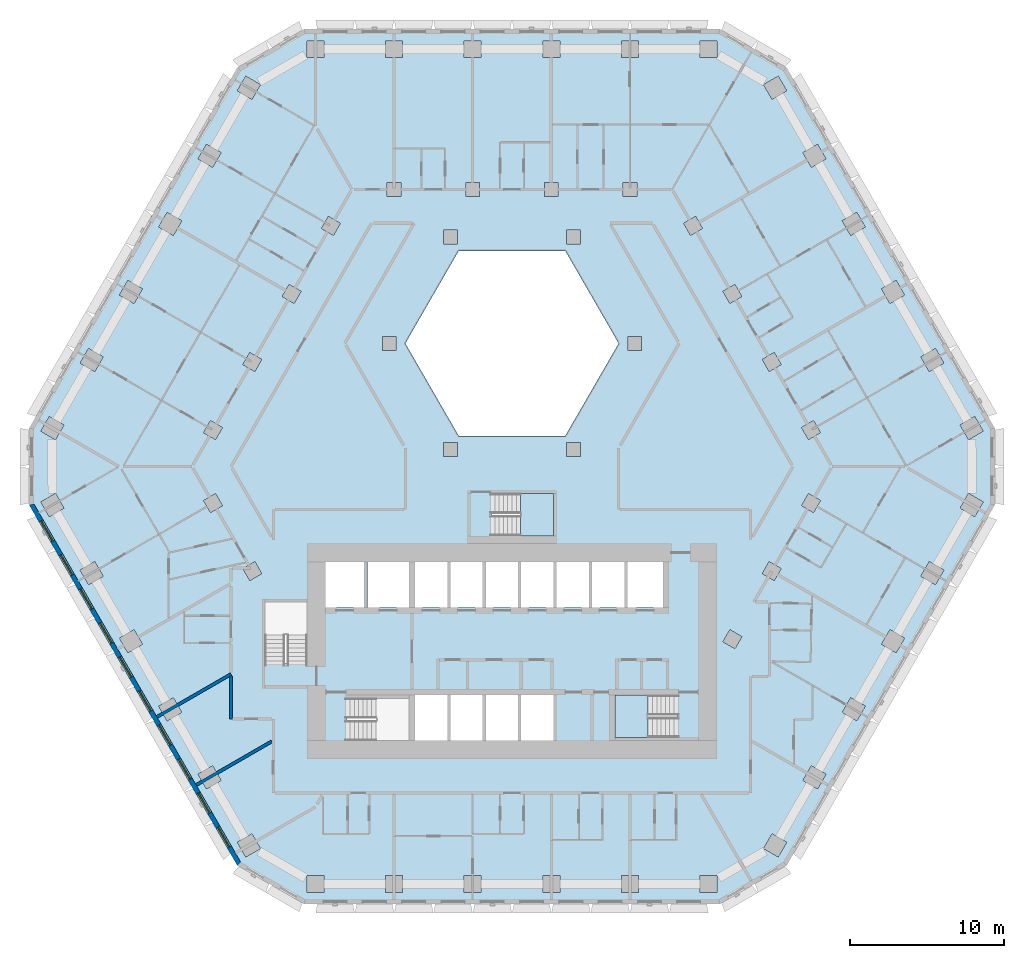
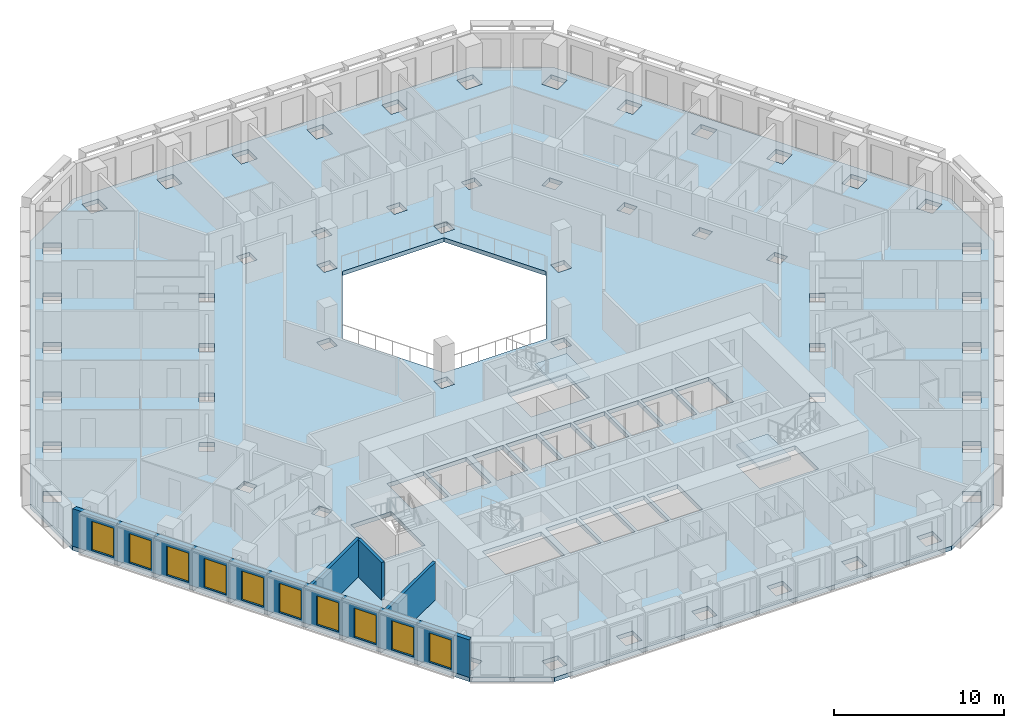
# One storey, part 2 of 21: 10 windows, 4 walls, 3 slabs, 10 openings, 2 elements without a shape of their own.
"""IFC4 building model written with IfcOpenShell, lengths in metres."""

import ifcopenshell
import ifcopenshell.guid

model = None  # the IFC model being written
_history = None  # IfcOwnerHistory: only IFC2X3 demands one
_inside = {}  # id of a spatial element -> (the spatial element, [elements in it])
_under = {}  # id of a project, library or spatial element -> (it, [spatial elements below it])
_declared = {}  # id of a project -> (the project, [libraries it declares])
_typed = {}  # id of a type object -> (the type object, [elements of that type])
_made_of = {}  # id of a material, layer set ... -> (it, [elements and type objects made of it])


def new_model(schema):
    """Start an empty IFC model of exactly this schema.

    Asked for "IFC4X3", IfcOpenShell would pick the latest addendum, in which some entities
    have other attributes; the version numbers below select the first issue.
    IFC2X3 requires an IfcOwnerHistory on every rooted entity: one is made here for all.
    """
    global model, _history
    if schema == "IFC4X3":
        model = ifcopenshell.file(schema_version=(4, 3, 0, 0))
    else:
        model = ifcopenshell.file(schema=schema)
    _inside.clear()
    _under.clear()
    _declared.clear()
    _typed.clear()
    _made_of.clear()
    _history = None
    if model.schema == "IFC2X3":
        org = make("IfcOrganization", Name="unknown")
        user = make(
            "IfcPersonAndOrganization",
            ThePerson=make("IfcPerson", FamilyName="unknown"),
            TheOrganization=org,
        )
        app = make(
            "IfcApplication",
            ApplicationDeveloper=org,
            Version="unknown",
            ApplicationFullName="unknown",
            ApplicationIdentifier="unknown",
        )
        _history = make(
            "IfcOwnerHistory",
            OwningUser=user,
            OwningApplication=app,
            ChangeAction="ADDED",
            CreationDate=0,
        )
    return model


def make(cls, **values):
    """One entity of the class cls with the attributes given. An attribute that is None is left unset."""
    return model.create_entity(
        cls, **{name: value for name, value in values.items() if value is not None}
    )


def rooted(cls, **values):
    """An entity with a GlobalId (a new one), such as an element, a storey or a relation."""
    return make(cls, GlobalId=ifcopenshell.guid.new(), OwnerHistory=_history, **values)


def si_unit(unit_type, name, prefix=None):
    """IfcSIUnit, for example si_unit("LENGTHUNIT", "METRE", prefix="MILLI")."""
    return make("IfcSIUnit", UnitType=unit_type, Prefix=prefix, Name=name)


def assignment(units):
    """IfcUnitAssignment: the units of a project."""
    return None if units is None else make("IfcUnitAssignment", Units=units)


def point(xyz):
    """IfcCartesianPoint."""
    return None if xyz is None else make("IfcCartesianPoint", Coordinates=xyz)


def direction(xyz):
    """IfcDirection."""
    return None if xyz is None else make("IfcDirection", DirectionRatios=xyz)


def frame(location, z_axis=None, x_axis=None):
    """IfcAxis2Placement3D, a coordinate frame: its origin and axes. An axis left out is left unset."""
    return make(
        "IfcAxis2Placement3D",
        Location=point(location),
        Axis=direction(z_axis),
        RefDirection=direction(x_axis),
    )


def frame_2d(location, x_axis=None):
    """IfcAxis2Placement2D, a coordinate frame in the plane: its origin and x axis."""
    return make(
        "IfcAxis2Placement2D", Location=point(location), RefDirection=direction(x_axis)
    )


def origin():
    """The frame at (0, 0, 0) with its axes left unset."""
    return frame((0.0, 0.0, 0.0))


def place(relative_to, where):
    """IfcLocalPlacement: puts the frame where relative to a parent placement (None: the world)."""
    return make(
        "IfcLocalPlacement", PlacementRelTo=relative_to, RelativePlacement=where
    )


def context(
    kind, dimensions, precision=None, world=None, true_north=None, identifier=None
):
    """IfcGeometricRepresentationContext, for example the 3D "Model" context."""
    return make(
        "IfcGeometricRepresentationContext",
        ContextIdentifier=identifier,
        ContextType=kind,
        CoordinateSpaceDimension=dimensions,
        Precision=precision,
        WorldCoordinateSystem=world,
        TrueNorth=true_north,
    )


def subcontext(parent, identifier, kind, view, scale=None):
    """IfcGeometricRepresentationSubContext, for example "Body" below "Model"."""
    return make(
        "IfcGeometricRepresentationSubContext",
        ContextIdentifier=identifier,
        ContextType=kind,
        ParentContext=parent,
        TargetScale=scale,
        TargetView=view,
    )


def project(units=None, contexts=None):
    """IfcProject with its units and contexts."""
    return rooted(
        "IfcProject",
        Name="project",
        RepresentationContexts=contexts,
        UnitsInContext=assignment(units),
    )


def spatial(cls, under=None, at=None, **own):
    """A site, building, storey or space (cls), placed at a placement, below another one or the project."""
    s = rooted(cls, ObjectPlacement=at, **own)
    if under is not None:
        _under.setdefault(under.id(), (under, []))[1].append(s)
    return s


def polyline(points):
    """IfcPolyline through the points."""
    return make("IfcPolyline", Points=[point(p) for p in points])


def profile(cls, at=None, kind="AREA", **sizes):
    """A parametric profile (cls). Its sizes go by their IFC names, for example OverallWidth=200.0."""
    return make(cls, ProfileType=kind, Position=at, **sizes)


def rectangle(**sizes):
    """IfcRectangleProfileDef."""
    return profile("IfcRectangleProfileDef", **sizes)


def outline(outer, holes=None, kind="AREA"):
    """IfcArbitraryClosedProfileDef: a profile drawn as a closed curve; with holes, ...WithVoids."""
    if holes is None:
        return make("IfcArbitraryClosedProfileDef", ProfileType=kind, OuterCurve=outer)
    return make(
        "IfcArbitraryProfileDefWithVoids",
        ProfileType=kind,
        OuterCurve=outer,
        InnerCurves=holes,
    )


def extrude(swept, where, along, depth):
    """IfcExtrudedAreaSolid: the profile swept, set in the frame where, extruded along a direction by depth."""
    return make(
        "IfcExtrudedAreaSolid",
        SweptArea=swept,
        Position=where,
        ExtrudedDirection=direction(along),
        Depth=depth,
    )


def shape(context_of_items, identifier, shape_type, items):
    """IfcShapeRepresentation: the items that make up one representation, for example the "Body"."""
    return make(
        "IfcShapeRepresentation",
        ContextOfItems=context_of_items,
        RepresentationIdentifier=identifier,
        RepresentationType=shape_type,
        Items=items,
    )


def material(Name=None, Category=None):
    """IfcMaterial."""
    return make("IfcMaterial", Name=Name, Category=Category)


def layer(
    of_material, thickness, ventilated=None, Name=None, Category=None, Priority=None
):
    """IfcMaterialLayer: one layer of a wall or slab, of a material (None: an air gap)."""
    return make(
        "IfcMaterialLayer",
        Material=of_material,
        LayerThickness=thickness,
        IsVentilated=ventilated,
        Name=Name,
        Category=Category,
        Priority=Priority,
    )


def layer_set(layers, Name=None):
    """IfcMaterialLayerSet."""
    return make("IfcMaterialLayerSet", MaterialLayers=layers, LayerSetName=Name)


def made_of(thing, what):
    """Note that an element or type object is made of a material, layer set ...; save() writes the relation."""
    if what is not None:
        _made_of.setdefault(what.id(), (what, []))[1].append(thing)
    return thing


def type_object(cls, material=None, **own):
    """A type object (cls), such as IfcWallType, which elements share."""
    return made_of(rooted(cls, **own), material)


def element(
    cls,
    number,
    at=None,
    inside=None,
    cuts=None,
    type_object=None,
    material=None,
    context=None,
    identifier="Body",
    shape_type=None,
    held_by="IfcProductDefinitionShape",
    body=None,
    shapes=None,
    **own,
):
    """One element of the class cls, such as IfcWall. Its Tag is "e" and its number.

    at: its placement. inside: the storey or other place that contains it. cuts: it is an
    opening in that element (IfcRelVoidsElement). A single representation is given by context,
    identifier, shape_type and body (its items); several are given by shapes. held_by: the class
    of the entity that holds the representations. save() writes the other relations.
    """
    e = rooted(cls, Tag="e%d" % number, ObjectPlacement=at, **own)
    if body is not None:
        shapes = [shape(context, identifier, shape_type, body)]
    if shapes is not None:
        e.Representation = make(held_by, Representations=shapes)
    if inside is not None:
        _inside.setdefault(inside.id(), (inside, []))[1].append(e)
    if cuts is not None:
        rooted(
            "IfcRelVoidsElement", RelatingBuildingElement=cuts, RelatedOpeningElement=e
        )
    if type_object is not None:
        _typed.setdefault(type_object.id(), (type_object, []))[1].append(e)
    return made_of(e, material)


def fill(opening, filler):
    """IfcRelFillsElement: the door or window that sits in an opening."""
    return rooted(
        "IfcRelFillsElement",
        RelatingOpeningElement=opening,
        RelatedBuildingElement=filler,
    )


def aggregate(whole, parts):
    """IfcRelAggregates: a whole, such as a stair, and the parts it consists of."""
    return rooted("IfcRelAggregates", RelatingObject=whole, RelatedObjects=parts)


def save(model, path):
    """Write the relations noted so far, then the file.

    IfcRelAggregates (storeys below a building ...), IfcRelContainedInSpatialStructure (elements
    in a storey), IfcRelDefinesByType, IfcRelAssociatesMaterial and IfcRelDeclares: one each for
    every whole, place, type object, material and project.
    """
    for whole, parts in _under.values():
        aggregate(whole, parts)
    for where, things in _inside.values():
        rooted(
            "IfcRelContainedInSpatialStructure",
            RelatedElements=things,
            RelatingStructure=where,
        )
    for kind, things in _typed.values():
        rooted("IfcRelDefinesByType", RelatedObjects=things, RelatingType=kind)
    for what, things in _made_of.values():
        rooted("IfcRelAssociatesMaterial", RelatedObjects=things, RelatingMaterial=what)
    for by, libraries in _declared.values():
        rooted("IfcRelDeclares", RelatingContext=by, RelatedDefinitions=libraries)
    model.write(path)


model = new_model("IFC4")

# Units and contexts
model_context = context("Model", 3, precision=1e-05, world=origin(), true_north=direction((0.0, 1.0)))
body_context = subcontext(model_context, "Body", "Model", "MODEL_VIEW")
ifc_project = project(units=[si_unit("LENGTHUNIT", "METRE"), si_unit("AREAUNIT", "SQUARE_METRE"), si_unit("VOLUMEUNIT", "CUBIC_METRE"), si_unit("PLANEANGLEUNIT", "RADIAN"), si_unit("MASSUNIT", "GRAM", prefix="KILO")], contexts=[model_context])

# Site, building, storey
site_placement = place(None, origin())
site = spatial("IfcSite", under=ifc_project, at=site_placement, CompositionType="ELEMENT")
building_placement = place(site_placement, origin())
building = spatial("IfcBuilding", under=site, at=building_placement, Name="Beryl Residences", CompositionType="ELEMENT")
storey_placement = place(building_placement, frame((0.0, 0.0, 29.39990234375)))
storey = spatial("IfcBuildingStorey", under=building, at=storey_placement, Name="L08", CompositionType="ELEMENT", Elevation=29.39990234375)

# Slab
ifc_material_1 = material(Name="Concrete C40/50", Category="concrete")
ifc_layer_1 = layer(ifc_material_1, 0.300048828125)
ifc_layer_set_1 = layer_set([ifc_layer_1], Name="SL7 PT floor slab 300 mm C40/50")
slab_type_1 = type_object("IfcSlabType", Name="SL7 PT floor slab 300 mm C40/50", PredefinedType="FLOOR", material=ifc_layer_set_1)
slab_1_placement = place(storey_placement, frame((0.0, 0.0, -0.2998046875)))
element("IfcSlab", 1, at=slab_1_placement, inside=storey, type_object=slab_type_1, Name="L08 slab 1", PredefinedType="FLOOR", context=body_context, shape_type="SweptSolid", body=[
    extrude(outline(polyline([(31.35009765625, -2.5), (17.840087890625, -25.89990234375), (13.510009765625, -28.39990234375), (-13.510009765625, -28.39990234375), (-17.840087890625, -25.89990234375), (-31.35009765625, -2.5), (-31.35009765625, 2.5), (-17.840087890625, 25.89990234375), (-13.510009765625, 28.39990234375), (13.510009765625, 28.39990234375), (17.840087890625, 25.89990234375), (31.35009765625, 2.5), (31.35009765625, -2.5)]), holes=[polyline([(30.60009765625, -2.298095703125), (29.64794921875, -1.748046875), (29.097900390625, -2.699951171875), (30.050048828125, -3.25), (30.60009765625, -2.298095703125)]), polyline([(30.59912109375, 2.299072265625), (30.049072265625, 3.2509765625), (29.096923828125, 2.700927734375), (29.64697265625, 1.7490234375), (30.59912109375, 2.299072265625)]), polyline([(28.049072265625, -6.718017578125), (27.096923828125, -6.16796875), (26.547119140625, -7.1201171875), (27.4990234375, -7.669921875), (28.049072265625, -6.718017578125)]), polyline([(27.498046875, 7.672119140625), (26.5458984375, 7.1220703125), (27.095947265625, 6.169921875), (28.048095703125, 6.719970703125), (27.498046875, 7.672119140625)]), polyline([(24.544921875, -10.587890625), (23.9951171875, -11.5400390625), (24.947021484375, -12.090087890625), (25.4970703125, -11.137939453125), (24.544921875, -10.587890625)]), polyline([(25.49609375, 11.139892578125), (24.946044921875, 12.092041015625), (23.993896484375, 11.5419921875), (24.5439453125, 10.590087890625), (25.49609375, 11.139892578125)]), polyline([(22.39501953125, -16.510009765625), (22.945068359375, -15.55810546875), (21.992919921875, -15.008056640625), (21.443115234375, -15.9599609375), (22.39501953125, -16.510009765625)]), polyline([(22.39404296875, 16.511962890625), (21.44189453125, 15.9619140625), (21.991943359375, 15.010009765625), (22.944091796875, 15.56005859375), (22.39404296875, 16.511962890625)]), polyline([(20.39306640625, -19.97900390625), (19.44091796875, -19.428955078125), (18.89111328125, -20.381103515625), (19.843017578125, -20.930908203125), (20.39306640625, -19.97900390625)]), polyline([(19.842041015625, 20.931884765625), (18.889892578125, 20.382080078125), (19.43994140625, 19.429931640625), (20.39208984375, 19.97998046875), (19.842041015625, 20.931884765625)]), polyline([(20.031982421875, -2.2041015625), (19.251953125, -1.75390625), (18.802001953125, -2.533935546875), (19.58203125, -2.98388671875), (20.031982421875, -2.2041015625)]), polyline([(20.031005859375, 2.2060546875), (19.5810546875, 2.986083984375), (18.801025390625, 2.535888671875), (19.2509765625, 1.756103515625), (20.031005859375, 2.2060546875)]), polyline([(17.841064453125, -24.39892578125), (16.888916015625, -23.84912109375), (16.339111328125, -24.801025390625), (17.291015625, -25.35107421875), (17.841064453125, -24.39892578125)]), polyline([(17.840087890625, 24.39990234375), (17.2900390625, 25.35205078125), (16.337890625, 24.802001953125), (16.887939453125, 23.85009765625), (17.840087890625, 24.39990234375)]), polyline([(17.47998046875, -6.6240234375), (16.699951171875, -6.174072265625), (16.25, -6.9541015625), (17.030029296875, -7.404052734375), (17.47998046875, -6.6240234375)]), polyline([(17.029052734375, 7.406005859375), (16.2490234375, 6.9560546875), (16.698974609375, 6.176025390625), (17.47900390625, 6.6259765625), (17.029052734375, 7.406005859375)]), polyline([(14.927978515625, -11.0439453125), (14.14794921875, -10.593994140625), (13.697998046875, -11.3740234375), (14.47802734375, -11.823974609375), (14.927978515625, -11.0439453125)]), polyline([(14.927001953125, 11.0458984375), (14.47705078125, 11.825927734375), (13.697021484375, 11.3759765625), (14.14697265625, 10.595947265625), (14.927001953125, 11.0458984375)]), polyline([(13.31103515625, -27.64990234375), (13.31103515625, -26.550048828125), (12.2109375, -26.550048828125), (12.2109375, -27.64990234375), (13.31103515625, -27.64990234375)]), polyline([(13.30908203125, 27.64990234375), (12.208984375, 27.64990234375), (12.208984375, 26.550048828125), (13.30908203125, 26.550048828125), (13.30908203125, 27.64990234375)]), polyline([(11.925048828125, 16.24609375), (11.14501953125, 15.7958984375), (11.594970703125, 15.01611328125), (12.375, 15.466064453125), (11.925048828125, 16.24609375)]), polyline([(10.699951171875, -14.85009765625), (6.699951171875, -14.85009765625), (6.699951171875, -17.60009765625), (10.699951171875, -17.60009765625), (10.699951171875, -14.85009765625)]), polyline([(9.800048828125, -6.199951171875), (7.5, -6.199951171875), (7.5, -9.14990234375), (9.800048828125, -9.14990234375), (9.800048828125, -6.199951171875)]), polyline([(8.4169921875, 7.550048828125), (8.4169921875, 8.449951171875), (7.51708984375, 8.449951171875), (7.51708984375, 7.550048828125), (8.4169921875, 7.550048828125)]), polyline([(7.10693359375, -27.64990234375), (8.20703125, -27.64990234375), (8.20703125, -26.550048828125), (7.10693359375, -26.550048828125), (7.10693359375, -27.64990234375)]), polyline([(8.205078125, 27.64990234375), (7.10498046875, 27.64990234375), (7.10498046875, 26.550048828125), (8.205078125, 26.550048828125), (8.205078125, 27.64990234375)]), polyline([(7.205078125, 18.449951171875), (7.205078125, 17.550048828125), (8.10498046875, 17.550048828125), (8.10498046875, 18.449951171875), (7.205078125, 18.449951171875)]), polyline([(5.199951171875, -9.14990234375), (7.300048828125, -9.14990234375), (7.300048828125, -6.199951171875), (5.199951171875, -6.199951171875), (5.199951171875, -9.14990234375)]), polyline([(3.464111328125, 14.0), (-3.464111328125, 14.0), (-6.92822265625, 8.0), (-3.464111328125, 2.0), (3.464111328125, 2.0), (6.92822265625, 8.0), (3.464111328125, 14.0)]), polyline([(2.89990234375, -6.199951171875), (2.89990234375, -9.14990234375), (5.0, -9.14990234375), (5.0, -6.199951171875), (2.89990234375, -6.199951171875)]), polyline([(4.43408203125, 15.35009765625), (3.533935546875, 15.35009765625), (3.533935546875, 14.449951171875), (4.43408203125, 14.449951171875), (4.43408203125, 15.35009765625)]), polyline([(4.43408203125, 0.64990234375), (4.43408203125, 1.550048828125), (3.533935546875, 1.550048828125), (3.533935546875, 0.64990234375), (4.43408203125, 0.64990234375)]), polyline([(3.10302734375, -27.64990234375), (3.10302734375, -26.550048828125), (2.0029296875, -26.550048828125), (2.0029296875, -27.64990234375), (3.10302734375, -27.64990234375)]), polyline([(2.0009765625, 27.64990234375), (2.0009765625, 26.550048828125), (3.10107421875, 26.550048828125), (3.10107421875, 27.64990234375), (2.0009765625, 27.64990234375)]), polyline([(3.0009765625, 18.449951171875), (2.10107421875, 18.449951171875), (2.10107421875, 17.550048828125), (3.0009765625, 17.550048828125), (3.0009765625, 18.449951171875)]), polyline([(-1.300048828125, -1.75), (-1.300048828125, -4.5), (2.699951171875, -4.5), (2.699951171875, -1.75), (-1.300048828125, -1.75)]), polyline([(0.60009765625, -9.14990234375), (2.699951171875, -9.14990234375), (2.699951171875, -6.199951171875), (0.60009765625, -6.199951171875), (0.60009765625, -9.14990234375)]), polyline([(0.60009765625, -17.800048828125), (2.699951171875, -17.800048828125), (2.699951171875, -14.85009765625), (0.60009765625, -14.85009765625), (0.60009765625, -17.800048828125)]), polyline([(-1.699951171875, -6.199951171875), (-1.699951171875, -9.14990234375), (0.39990234375, -9.14990234375), (0.39990234375, -6.199951171875), (-1.699951171875, -6.199951171875)]), polyline([(-1.699951171875, -14.85009765625), (-1.699951171875, -17.800048828125), (0.39990234375, -17.800048828125), (0.39990234375, -14.85009765625), (-1.699951171875, -14.85009765625)]), polyline([(-4.0, -9.14990234375), (-1.89990234375, -9.14990234375), (-1.89990234375, -6.199951171875), (-4.0, -6.199951171875), (-4.0, -9.14990234375)]), polyline([(-4.0, -17.800048828125), (-1.89990234375, -17.800048828125), (-1.89990234375, -14.85009765625), (-4.0, -14.85009765625), (-4.0, -17.800048828125)]), polyline([(-2.0009765625, -27.64990234375), (-2.0009765625, -26.550048828125), (-3.10107421875, -26.550048828125), (-3.10107421875, -27.64990234375), (-2.0009765625, -27.64990234375)]), polyline([(-3.10302734375, 27.64990234375), (-3.10302734375, 26.550048828125), (-2.0029296875, 26.550048828125), (-2.0029296875, 27.64990234375), (-3.10302734375, 27.64990234375)]), polyline([(-2.10302734375, 18.449951171875), (-3.0029296875, 18.449951171875), (-3.0029296875, 17.550048828125), (-2.10302734375, 17.550048828125), (-2.10302734375, 18.449951171875)]), polyline([(-3.533935546875, 14.449951171875), (-3.533935546875, 15.35009765625), (-4.43408203125, 15.35009765625), (-4.43408203125, 14.449951171875), (-3.533935546875, 14.449951171875)]), polyline([(-3.533935546875, 0.64990234375), (-3.533935546875, 1.550048828125), (-4.43408203125, 1.550048828125), (-4.43408203125, 0.64990234375), (-3.533935546875, 0.64990234375)]), polyline([(-6.300048828125, -9.14990234375), (-4.199951171875, -9.14990234375), (-4.199951171875, -6.199951171875), (-6.300048828125, -6.199951171875), (-6.300048828125, -9.14990234375)]), polyline([(-6.300048828125, -14.85009765625), (-6.300048828125, -17.800048828125), (-4.199951171875, -17.800048828125), (-4.199951171875, -14.85009765625), (-6.300048828125, -14.85009765625)]), polyline([(-6.699951171875, -17.800048828125), (-6.699951171875, -15.050048828125), (-10.699951171875, -15.050048828125), (-10.699951171875, -17.800048828125), (-6.699951171875, -17.800048828125)]), polyline([(-9.39990234375, -6.199951171875), (-9.39990234375, -9.14990234375), (-6.699951171875, -9.14990234375), (-6.699951171875, -6.199951171875), (-9.39990234375, -6.199951171875)]), polyline([(-8.205078125, -27.64990234375), (-7.10498046875, -27.64990234375), (-7.10498046875, -26.550048828125), (-8.205078125, -26.550048828125), (-8.205078125, -27.64990234375)]), polyline([(-7.10693359375, 27.64990234375), (-8.20703125, 27.64990234375), (-8.20703125, 26.550048828125), (-7.10693359375, 26.550048828125), (-7.10693359375, 27.64990234375)]), polyline([(-8.10693359375, 18.449951171875), (-8.10693359375, 17.550048828125), (-7.20703125, 17.550048828125), (-7.20703125, 18.449951171875), (-8.10693359375, 18.449951171875)]), polyline([(-8.4169921875, 7.550048828125), (-7.51708984375, 7.550048828125), (-7.51708984375, 8.449951171875), (-8.4169921875, 8.449951171875), (-8.4169921875, 7.550048828125)]), polyline([(-12.10009765625, -6.199951171875), (-12.10009765625, -9.14990234375), (-9.60009765625, -9.14990234375), (-9.60009765625, -6.199951171875), (-12.10009765625, -6.199951171875)]), polyline([(-12.3759765625, 15.465087890625), (-11.595947265625, 15.014892578125), (-11.14599609375, 15.794921875), (-11.926025390625, 16.2451171875), (-12.3759765625, 15.465087890625)]), polyline([(-12.208984375, -26.550048828125), (-13.30908203125, -26.550048828125), (-13.30908203125, -27.64990234375), (-12.208984375, -27.64990234375), (-12.208984375, -26.550048828125)]), polyline([(-13.31103515625, 27.64990234375), (-13.31103515625, 26.550048828125), (-12.2109375, 26.550048828125), (-12.2109375, 27.64990234375), (-13.31103515625, 27.64990234375)]), polyline([(-13.300048828125, -8.800048828125), (-16.050048828125, -8.800048828125), (-16.050048828125, -12.800048828125), (-13.300048828125, -12.800048828125), (-13.300048828125, -8.800048828125)]), polyline([(-14.47802734375, 11.823974609375), (-14.927978515625, 11.0439453125), (-14.14794921875, 10.593994140625), (-13.697998046875, 11.3740234375), (-14.47802734375, 11.823974609375)]), polyline([(-17.029052734375, -7.406005859375), (-16.2490234375, -6.9560546875), (-16.698974609375, -6.176025390625), (-17.47900390625, -6.6259765625), (-17.029052734375, -7.406005859375)]), polyline([(-17.47998046875, 6.6240234375), (-16.699951171875, 6.174072265625), (-16.25, 6.9541015625), (-17.030029296875, 7.404052734375), (-17.47998046875, 6.6240234375)]), polyline([(-17.2900390625, -25.35205078125), (-16.337890625, -24.802001953125), (-16.887939453125, -23.85009765625), (-17.840087890625, -24.39990234375), (-17.2900390625, -25.35205078125)]), polyline([(-17.841064453125, 24.39892578125), (-16.888916015625, 23.84912109375), (-16.339111328125, 24.801025390625), (-17.291015625, 25.35107421875), (-17.841064453125, 24.39892578125)]), polyline([(-20.031005859375, -2.2060546875), (-19.5810546875, -2.986083984375), (-18.801025390625, -2.535888671875), (-19.2509765625, -1.756103515625), (-20.031005859375, -2.2060546875)]), polyline([(-19.58203125, 2.98388671875), (-20.031982421875, 2.2041015625), (-19.251953125, 1.75390625), (-18.802001953125, 2.533935546875), (-19.58203125, 2.98388671875)]), polyline([(-19.842041015625, -20.931884765625), (-18.889892578125, -20.382080078125), (-19.43994140625, -19.429931640625), (-20.39208984375, -19.97998046875), (-19.842041015625, -20.931884765625)]), polyline([(-20.39306640625, 19.97900390625), (-19.44091796875, 19.428955078125), (-18.89111328125, 20.381103515625), (-19.843017578125, 20.930908203125), (-20.39306640625, 19.97900390625)]), polyline([(-22.39404296875, -16.511962890625), (-21.44189453125, -15.9619140625), (-21.991943359375, -15.010009765625), (-22.944091796875, -15.56005859375), (-22.39404296875, -16.511962890625)]), polyline([(-22.945068359375, 15.55810546875), (-21.992919921875, 15.008056640625), (-21.443115234375, 15.9599609375), (-22.39501953125, 16.510009765625), (-22.945068359375, 15.55810546875)]), polyline([(-24.946044921875, -12.092041015625), (-23.993896484375, -11.5419921875), (-24.5439453125, -10.590087890625), (-25.49609375, -11.139892578125), (-24.946044921875, -12.092041015625)]), polyline([(-24.544921875, 10.587890625), (-23.9951171875, 11.5400390625), (-24.947021484375, 12.090087890625), (-25.4970703125, 11.137939453125), (-24.544921875, 10.587890625)]), polyline([(-27.498046875, -7.672119140625), (-26.5458984375, -7.1220703125), (-27.095947265625, -6.169921875), (-28.048095703125, -6.719970703125), (-27.498046875, -7.672119140625)]), polyline([(-28.049072265625, 6.718017578125), (-27.096923828125, 6.16796875), (-26.547119140625, 7.1201171875), (-27.4990234375, 7.669921875), (-28.049072265625, 6.718017578125)]), polyline([(-29.096923828125, -2.700927734375), (-29.64697265625, -1.7490234375), (-30.59912109375, -2.299072265625), (-30.049072265625, -3.2509765625), (-29.096923828125, -2.700927734375)]), polyline([(-30.60009765625, 2.298095703125), (-29.64794921875, 1.748046875), (-29.097900390625, 2.699951171875), (-30.050048828125, 3.25), (-30.60009765625, 2.298095703125)])]), origin(), (0.0, 0.0, 1.0), 0.2998046875),
])

# Stair, slab
ifc_material_2 = material(Name="Concrete C40/50", Category="concrete")
stair_type = type_object("IfcStairType", Name="ST1 protected exit stair, half-turn, 1300 mm flights", PredefinedType="HALF_TURN_STAIR", material=ifc_material_2)
stair_1_placement = place(storey_placement, origin())
stair_1 = element("IfcStair", 2, at=stair_1_placement, inside=storey, type_object=stair_type, Name="L08 PROTECTED EXIT STAIR ST-3", PredefinedType="HALF_TURN_STAIR")
ifc_material_3 = material(Name="Concrete C40/50", Category="concrete")
ifc_layer_2 = layer(ifc_material_3, 0.199951171875)
ifc_layer_set_2 = layer_set([ifc_layer_2], Name="SLD1 stair landing 200 mm")
slab_type_2 = type_object("IfcSlabType", Name="SLD1 stair landing 200 mm", PredefinedType="LANDING", material=ifc_layer_set_2)
slab_2_placement = place(storey_placement, frame((0.0, 0.0, 1.300048828125)))
slab_2 = element("IfcSlab", 3, at=slab_2_placement, type_object=slab_type_2, Name="ST-3 landing 1", PredefinedType="LANDING", context=body_context, shape_type="SweptSolid", body=[
    extrude(outline(polyline([(8.840087890625, -14.85009765625), (6.699951171875, -14.85009765625), (6.699951171875, -17.60009765625), (8.840087890625, -17.60009765625), (8.840087890625, -14.85009765625)])), origin(), (0.0, 0.0, 1.0), 0.199951171875),
])
aggregate(stair_1, [slab_2])

stair_2_placement = place(storey_placement, origin())
stair_2 = element("IfcStair", 4, at=stair_2_placement, inside=storey, type_object=stair_type, Name="L08 PROTECTED EXIT STAIR ST-4", PredefinedType="HALF_TURN_STAIR")
slab_3_placement = place(storey_placement, frame((0.0, 0.0, 1.300048828125)))
slab_3 = element("IfcSlab", 5, at=slab_3_placement, type_object=slab_type_2, Name="ST-4 landing 1", PredefinedType="LANDING", context=body_context, shape_type="SweptSolid", body=[
    extrude(outline(polyline([(0.56005859375, -4.5), (2.699951171875, -4.5), (2.699951171875, -1.75), (0.56005859375, -1.75), (0.56005859375, -4.5)])), origin(), (0.0, 0.0, 1.0), 0.199951171875),
])
aggregate(stair_2, [slab_3])

# Wall, openings, windows
ifc_material_4 = material(Name="Composite metal panel with mineral wool insulation")
ifc_layer_3 = layer(ifc_material_4, 0.300048828125)
ifc_layer_set_3 = layer_set([ifc_layer_3], Name="ES1 pale metal composite panel wall 300 mm")
wall_type_1 = type_object("IfcWallType", Name="ES1 pale metal composite panel wall 300 mm", PredefinedType="SOLIDWALL", material=ifc_layer_set_3)
wall_1_placement = place(storey_placement, frame((-31.219970703125, -2.425048828125, 0.0), z_axis=(0.0, 0.0, 1.0), x_axis=(0.500001938803, -0.866024284413, 0.0)))
wall_1 = element("IfcWall", 6, at=wall_1_placement, inside=storey, type_object=wall_type_1, Name="ES1 external wall L08 SW", PredefinedType="SOLIDWALL", context=body_context, shape_type="SweptSolid", body=[
    extrude(outline(polyline([(0.0, -0.14990234375), (27.02001953125, -0.14990234375), (26.939697265625, 0.14990234375), (0.080322265625, 0.14990234375), (0.0, -0.14990234375)])), origin(), (0.0, 0.0, 1.0), 2.7001953125),
])
opening_1_placement = place(wall_1_placement, frame((1.277099609375, 0.0, 0.14990234375)))
opening_1 = element("IfcOpeningElement", 7, at=opening_1_placement, cuts=wall_1, Name="Opening W1", PredefinedType="OPENING", context=body_context, shape_type="SweptSolid", body=[
    extrude(rectangle(XDim=1.5, YDim=2.10009765625, at=frame_2d((0.75, 1.050048828125))), frame((0.0, 0.159912109375, 0.0), z_axis=(0.0, -1.0, 0.0), x_axis=(1.0, 0.0, 0.0)), (0.0, 0.0, 1.0), 0.320068359375),
])
opening_2_placement = place(wall_1_placement, frame((3.8291015625, 0.0, 0.14990234375)))
opening_2 = element("IfcOpeningElement", 8, at=opening_2_placement, cuts=wall_1, Name="Opening W1", PredefinedType="OPENING", context=body_context, shape_type="SweptSolid", body=[
    extrude(rectangle(XDim=1.5, YDim=2.10009765625, at=frame_2d((0.75, 1.050048828125))), frame((0.0, 0.159912109375, 0.0), z_axis=(0.0, -1.0, 0.0), x_axis=(1.0, 0.0, 0.0)), (0.0, 0.0, 1.0), 0.320068359375),
])
opening_3_placement = place(wall_1_placement, frame((6.382080078125, 0.0, 0.14990234375)))
opening_3 = element("IfcOpeningElement", 9, at=opening_3_placement, cuts=wall_1, Name="Opening W1", PredefinedType="OPENING", context=body_context, shape_type="SweptSolid", body=[
    extrude(rectangle(XDim=1.5, YDim=2.10009765625, at=frame_2d((0.75, 1.050048828125))), frame((0.0, 0.159912109375, 0.0), z_axis=(0.0, -1.0, 0.0), x_axis=(1.0, 0.0, 0.0)), (0.0, 0.0, 1.0), 0.320068359375),
])
opening_4_placement = place(wall_1_placement, frame((8.93310546875, 0.0, 0.14990234375)))
opening_4 = element("IfcOpeningElement", 10, at=opening_4_placement, cuts=wall_1, Name="Opening W1", PredefinedType="OPENING", context=body_context, shape_type="SweptSolid", body=[
    extrude(rectangle(XDim=1.5, YDim=2.10009765625, at=frame_2d((0.75, 1.050048828125))), frame((0.0, 0.159912109375, 0.0), z_axis=(0.0, -1.0, 0.0), x_axis=(1.0, 0.0, 0.0)), (0.0, 0.0, 1.0), 0.320068359375),
])
opening_5_placement = place(wall_1_placement, frame((11.485107421875, 0.0, 0.14990234375)))
opening_5 = element("IfcOpeningElement", 11, at=opening_5_placement, cuts=wall_1, Name="Opening W1", PredefinedType="OPENING", context=body_context, shape_type="SweptSolid", body=[
    extrude(rectangle(XDim=1.5, YDim=2.10009765625, at=frame_2d((0.75, 1.050048828125))), frame((0.0, 0.159912109375, 0.0), z_axis=(0.0, -1.0, 0.0), x_axis=(1.0, 0.0, 0.0)), (0.0, 0.0, 1.0), 0.320068359375),
])
opening_6_placement = place(wall_1_placement, frame((14.037109375, 0.0, 0.14990234375)))
opening_6 = element("IfcOpeningElement", 12, at=opening_6_placement, cuts=wall_1, Name="Opening W1", PredefinedType="OPENING", context=body_context, shape_type="SweptSolid", body=[
    extrude(rectangle(XDim=1.5, YDim=2.10009765625, at=frame_2d((0.75, 1.050048828125))), frame((0.0, 0.159912109375, 0.0), z_axis=(0.0, -1.0, 0.0), x_axis=(1.0, 0.0, 0.0)), (0.0, 0.0, 1.0), 0.320068359375),
])
opening_7_placement = place(wall_1_placement, frame((16.589111328125, 0.0, 0.14990234375)))
opening_7 = element("IfcOpeningElement", 13, at=opening_7_placement, cuts=wall_1, Name="Opening W1", PredefinedType="OPENING", context=body_context, shape_type="SweptSolid", body=[
    extrude(rectangle(XDim=1.5, YDim=2.10009765625, at=frame_2d((0.75, 1.050048828125))), frame((0.0, 0.159912109375, 0.0), z_axis=(0.0, -1.0, 0.0), x_axis=(1.0, 0.0, 0.0)), (0.0, 0.0, 1.0), 0.320068359375),
])
opening_8_placement = place(wall_1_placement, frame((19.14111328125, 0.0, 0.14990234375)))
opening_8 = element("IfcOpeningElement", 14, at=opening_8_placement, cuts=wall_1, Name="Opening W1", PredefinedType="OPENING", context=body_context, shape_type="SweptSolid", body=[
    extrude(rectangle(XDim=1.5, YDim=2.10009765625, at=frame_2d((0.75, 1.050048828125))), frame((0.0, 0.159912109375, 0.0), z_axis=(0.0, -1.0, 0.0), x_axis=(1.0, 0.0, 0.0)), (0.0, 0.0, 1.0), 0.320068359375),
])
opening_9_placement = place(wall_1_placement, frame((21.693115234375, 0.0, 0.14990234375)))
opening_9 = element("IfcOpeningElement", 15, at=opening_9_placement, cuts=wall_1, Name="Opening W1", PredefinedType="OPENING", context=body_context, shape_type="SweptSolid", body=[
    extrude(rectangle(XDim=1.5, YDim=2.10009765625, at=frame_2d((0.75, 1.050048828125))), frame((0.0, 0.159912109375, 0.0), z_axis=(0.0, -1.0, 0.0), x_axis=(1.0, 0.0, 0.0)), (0.0, 0.0, 1.0), 0.320068359375),
])
opening_10_placement = place(wall_1_placement, frame((24.243896484375, 0.0, 0.14990234375)))
opening_10 = element("IfcOpeningElement", 16, at=opening_10_placement, cuts=wall_1, Name="Opening W1", PredefinedType="OPENING", context=body_context, shape_type="SweptSolid", body=[
    extrude(rectangle(XDim=1.5, YDim=2.10009765625, at=frame_2d((0.75, 1.050048828125))), frame((0.0, 0.159912109375, 0.0), z_axis=(0.0, -1.0, 0.0), x_axis=(1.0, 0.0, 0.0)), (0.0, 0.0, 1.0), 0.320068359375),
])
ifc_material_5 = material(Name="Aluminium and clear glass", Category="aluminium")
window_type = type_object("IfcWindowType", Name="W1 cell window 1500 x 2100 mm", PartitioningType="SINGLE_PANEL", PredefinedType="WINDOW", material=ifc_material_5)
window_1_placement = place(opening_1_placement, origin())
window_1 = element("IfcWindow", 17, at=window_1_placement, inside=storey, type_object=window_type, Name="W1 window L08 SW 1", OverallHeight=2.10009765625, OverallWidth=1.5, PartitioningType="SINGLE_PANEL", PredefinedType="WINDOW", context=body_context, shape_type="SweptSolid", body=[
    extrude(rectangle(XDim=1.5, YDim=2.10009765625, at=frame_2d((0.75, 1.050048828125))), frame((0.0, 0.030029296875, 0.0), z_axis=(0.0, -1.0, 0.0), x_axis=(1.0, 0.0, 0.0)), (0.0, 0.0, 1.0), 0.06005859375),
])
fill(opening_1, window_1)
window_2_placement = place(opening_2_placement, origin())
window_2 = element("IfcWindow", 18, at=window_2_placement, inside=storey, type_object=window_type, Name="W1 window L08 SW 2", OverallHeight=2.10009765625, OverallWidth=1.5, PartitioningType="SINGLE_PANEL", PredefinedType="WINDOW", context=body_context, shape_type="SweptSolid", body=[
    extrude(rectangle(XDim=1.5, YDim=2.10009765625, at=frame_2d((0.75, 1.050048828125))), frame((0.0, 0.030029296875, 0.0), z_axis=(0.0, -1.0, 0.0), x_axis=(1.0, 0.0, 0.0)), (0.0, 0.0, 1.0), 0.06005859375),
])
fill(opening_2, window_2)
window_3_placement = place(opening_3_placement, origin())
window_3 = element("IfcWindow", 19, at=window_3_placement, inside=storey, type_object=window_type, Name="W1 window L08 SW 3", OverallHeight=2.10009765625, OverallWidth=1.5, PartitioningType="SINGLE_PANEL", PredefinedType="WINDOW", context=body_context, shape_type="SweptSolid", body=[
    extrude(rectangle(XDim=1.5, YDim=2.10009765625, at=frame_2d((0.75, 1.050048828125))), frame((0.0, 0.030029296875, 0.0), z_axis=(0.0, -1.0, 0.0), x_axis=(1.0, 0.0, 0.0)), (0.0, 0.0, 1.0), 0.06005859375),
])
fill(opening_3, window_3)
window_4_placement = place(opening_4_placement, origin())
window_4 = element("IfcWindow", 20, at=window_4_placement, inside=storey, type_object=window_type, Name="W1 window L08 SW 4", OverallHeight=2.10009765625, OverallWidth=1.5, PartitioningType="SINGLE_PANEL", PredefinedType="WINDOW", context=body_context, shape_type="SweptSolid", body=[
    extrude(rectangle(XDim=1.5, YDim=2.10009765625, at=frame_2d((0.75, 1.050048828125))), frame((0.0, 0.030029296875, 0.0), z_axis=(0.0, -1.0, 0.0), x_axis=(1.0, 0.0, 0.0)), (0.0, 0.0, 1.0), 0.06005859375),
])
fill(opening_4, window_4)
window_5_placement = place(opening_5_placement, origin())
window_5 = element("IfcWindow", 21, at=window_5_placement, inside=storey, type_object=window_type, Name="W1 window L08 SW 5", OverallHeight=2.10009765625, OverallWidth=1.5, PartitioningType="SINGLE_PANEL", PredefinedType="WINDOW", context=body_context, shape_type="SweptSolid", body=[
    extrude(rectangle(XDim=1.5, YDim=2.10009765625, at=frame_2d((0.75, 1.050048828125))), frame((0.0, 0.030029296875, 0.0), z_axis=(0.0, -1.0, 0.0), x_axis=(1.0, 0.0, 0.0)), (0.0, 0.0, 1.0), 0.06005859375),
])
fill(opening_5, window_5)
window_6_placement = place(opening_6_placement, origin())
window_6 = element("IfcWindow", 22, at=window_6_placement, inside=storey, type_object=window_type, Name="W1 window L08 SW 6", OverallHeight=2.10009765625, OverallWidth=1.5, PartitioningType="SINGLE_PANEL", PredefinedType="WINDOW", context=body_context, shape_type="SweptSolid", body=[
    extrude(rectangle(XDim=1.5, YDim=2.10009765625, at=frame_2d((0.75, 1.050048828125))), frame((0.0, 0.030029296875, 0.0), z_axis=(0.0, -1.0, 0.0), x_axis=(1.0, 0.0, 0.0)), (0.0, 0.0, 1.0), 0.06005859375),
])
fill(opening_6, window_6)
window_7_placement = place(opening_7_placement, origin())
window_7 = element("IfcWindow", 23, at=window_7_placement, inside=storey, type_object=window_type, Name="W1 window L08 SW 7", OverallHeight=2.10009765625, OverallWidth=1.5, PartitioningType="SINGLE_PANEL", PredefinedType="WINDOW", context=body_context, shape_type="SweptSolid", body=[
    extrude(rectangle(XDim=1.5, YDim=2.10009765625, at=frame_2d((0.75, 1.050048828125))), frame((0.0, 0.030029296875, 0.0), z_axis=(0.0, -1.0, 0.0), x_axis=(1.0, 0.0, 0.0)), (0.0, 0.0, 1.0), 0.06005859375),
])
fill(opening_7, window_7)
window_8_placement = place(opening_8_placement, origin())
window_8 = element("IfcWindow", 24, at=window_8_placement, inside=storey, type_object=window_type, Name="W1 window L08 SW 8", OverallHeight=2.10009765625, OverallWidth=1.5, PartitioningType="SINGLE_PANEL", PredefinedType="WINDOW", context=body_context, shape_type="SweptSolid", body=[
    extrude(rectangle(XDim=1.5, YDim=2.10009765625, at=frame_2d((0.75, 1.050048828125))), frame((0.0, 0.030029296875, 0.0), z_axis=(0.0, -1.0, 0.0), x_axis=(1.0, 0.0, 0.0)), (0.0, 0.0, 1.0), 0.06005859375),
])
fill(opening_8, window_8)
window_9_placement = place(opening_9_placement, origin())
window_9 = element("IfcWindow", 25, at=window_9_placement, inside=storey, type_object=window_type, Name="W1 window L08 SW 9", OverallHeight=2.10009765625, OverallWidth=1.5, PartitioningType="SINGLE_PANEL", PredefinedType="WINDOW", context=body_context, shape_type="SweptSolid", body=[
    extrude(rectangle(XDim=1.5, YDim=2.10009765625, at=frame_2d((0.75, 1.050048828125))), frame((0.0, 0.030029296875, 0.0), z_axis=(0.0, -1.0, 0.0), x_axis=(1.0, 0.0, 0.0)), (0.0, 0.0, 1.0), 0.06005859375),
])
fill(opening_9, window_9)
window_10_placement = place(opening_10_placement, origin())
window_10 = element("IfcWindow", 26, at=window_10_placement, inside=storey, type_object=window_type, Name="W1 window L08 SW 10", OverallHeight=2.10009765625, OverallWidth=1.5, PartitioningType="SINGLE_PANEL", PredefinedType="WINDOW", context=body_context, shape_type="SweptSolid", body=[
    extrude(rectangle(XDim=1.5, YDim=2.10009765625, at=frame_2d((0.75, 1.050048828125))), frame((0.0, 0.030029296875, 0.0), z_axis=(0.0, -1.0, 0.0), x_axis=(1.0, 0.0, 0.0)), (0.0, 0.0, 1.0), 0.06005859375),
])
fill(opening_10, window_10)

# Walls
ifc_material_6 = material(Name="Acoustic double stud gypsum board wall")
ifc_layer_4 = layer(ifc_material_6, 0.199951171875)
ifc_layer_set_4 = layer_set([ifc_layer_4], Name="PT3 party wall 200 mm acoustic double stud")
wall_type_2 = type_object("IfcWallType", Name="PT3 party wall 200 mm acoustic double stud", PredefinedType="PARTITIONING", material=ifc_layer_set_4)
wall_2_placement = place(storey_placement, frame((-20.507080078125, -20.680908203125, 0.0), z_axis=(0.0, 0.0, 1.0), x_axis=(0.866028446103, 0.499994730513, 0.0)))
element("IfcWall", 27, at=wall_2_placement, inside=storey, type_object=wall_type_2, Name="Wall PT3 L08 022", PredefinedType="PARTITIONING", context=body_context, shape_type="SweptSolid", body=[
    extrude(rectangle(XDim=5.666015625, YDim=0.199951171875, at=frame_2d((2.8330078125, 0.0))), origin(), (0.0, 0.0, 1.0), 2.7001953125),
])
wall_3_placement = place(storey_placement, frame((-23.05908203125, -16.260986328125, 0.0), z_axis=(0.0, 0.0, 1.0), x_axis=(0.866075767886, 0.499912756669, 0.0)))
element("IfcWall", 28, at=wall_3_placement, inside=storey, type_object=wall_type_2, Name="Wall PT3 L08 024", PredefinedType="PARTITIONING", context=body_context, shape_type="SweptSolid", body=[
    extrude(rectangle(XDim=5.552734375, YDim=0.199951171875, at=frame_2d((2.7763671875, 0.0))), origin(), (0.0, 0.0, 1.0), 2.7001953125),
])
ifc_material_7 = material(Name="Double stud gypsum board wall")
ifc_layer_5 = layer(ifc_material_7, 0.199951171875)
ifc_layer_set_5 = layer_set([ifc_layer_5], Name="PT4 corridor wall 200 mm double stud")
wall_type_3 = type_object("IfcWallType", Name="PT4 corridor wall 200 mm double stud", PredefinedType="PARTITIONING", material=ifc_layer_set_5)
wall_4_placement = place(storey_placement, frame((-18.25, -16.39990234375, 0.0), z_axis=(0.0, 0.0, 1.0), x_axis=(0.0, 1.0, 0.0)))
element("IfcWall", 29, at=wall_4_placement, inside=storey, type_object=wall_type_3, Name="Wall PT4 L08 032", PredefinedType="PARTITIONING", context=body_context, shape_type="SweptSolid", body=[
    extrude(rectangle(XDim=2.7998046875, YDim=0.199951171875, at=frame_2d((1.39990234375, 0.0))), origin(), (0.0, 0.0, 1.0), 2.7001953125),
])

save(model, "model.ifc")
